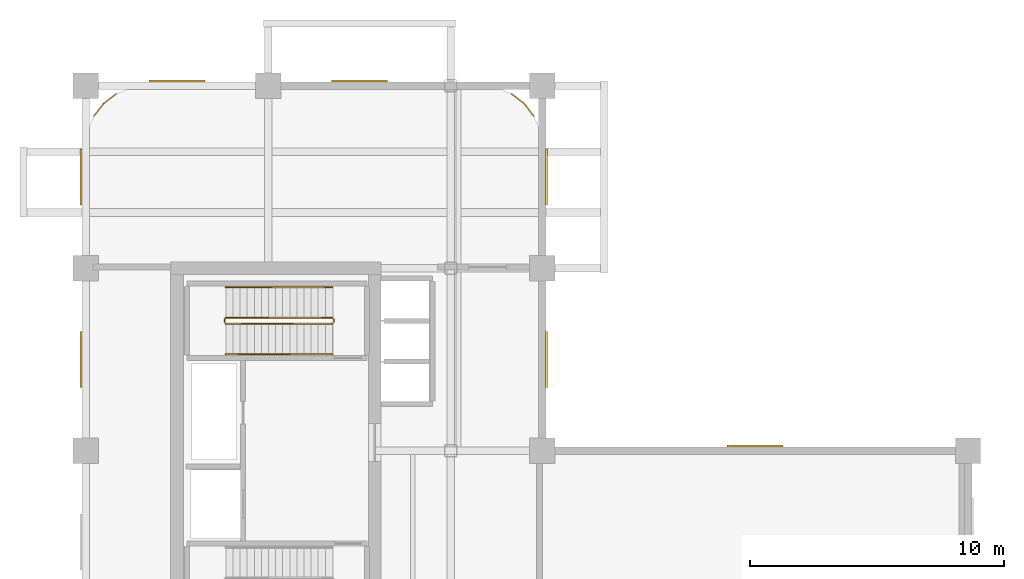
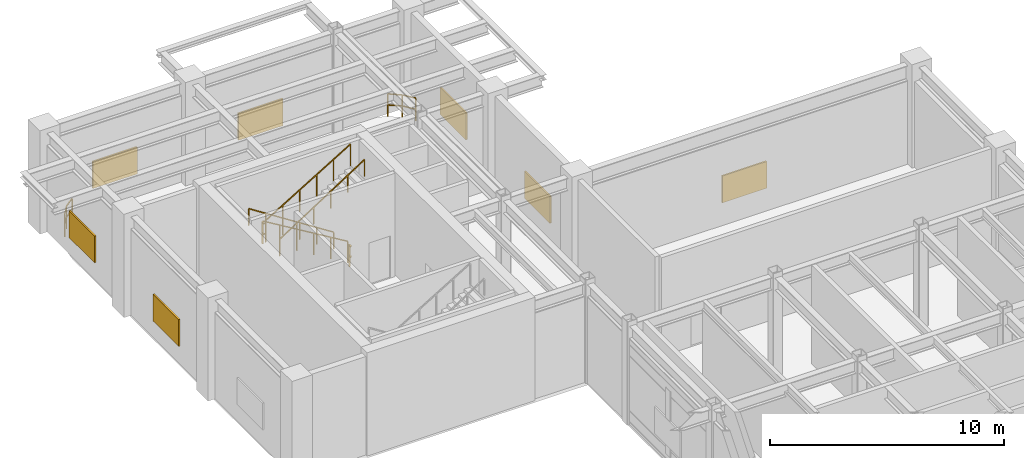
# One storey, part 10 of 10: 8 railings, 7 shading devices.
"""IFC4 building model written with IfcOpenShell, lengths in metres."""

from ifc_helpers import new_model, si_unit, derived_unit, direction, frame, origin, origin_2d, place, context, subcontext, project, spatial, rectangle, extrude, source, transform, mapped, material, layer, layer_set, type_object, type_shapes, element, save


model = new_model("IFC4")

# Units and contexts
model_context = context("Model", 3, precision=1e-05, world=origin(), true_north=direction((0.0, 1.0)))
body_context = subcontext(model_context, "Body", "Model", "MODEL_VIEW")
ifc_project = project(units=[si_unit("LENGTHUNIT", "METRE"), si_unit("AREAUNIT", "SQUARE_METRE"), si_unit("VOLUMEUNIT", "CUBIC_METRE"), si_unit("PLANEANGLEUNIT", "RADIAN"), si_unit("MASSUNIT", "GRAM", prefix="KILO"), si_unit("THERMODYNAMICTEMPERATUREUNIT", "KELVIN"), si_unit("POWERUNIT", "WATT"), derived_unit("THERMALTRANSMITTANCEUNIT", [(si_unit("POWERUNIT", "WATT"), 1), (si_unit("AREAUNIT", "SQUARE_METRE"), -1), (si_unit("THERMODYNAMICTEMPERATUREUNIT", "KELVIN"), -1)])], contexts=[model_context])

# Site, building, storey
site_placement = place(None, origin())
site = spatial("IfcSite", under=ifc_project, at=site_placement, CompositionType="ELEMENT")
building_placement = place(site_placement, origin())
building = spatial("IfcBuilding", under=site, at=building_placement, Name="Zahravan Archway Hotel and Residences", CompositionType="ELEMENT")
storey_placement = place(building_placement, frame((0.0, 0.0, 196.5)))
storey = spatial("IfcBuildingStorey", under=building, at=storey_placement, Name="L49", CompositionType="ELEMENT", Elevation=196.5)

# Railings
ifc_material_1 = material(Name="Painted Tubular Steel", Category="steel")
railing_type_1 = type_object("IfcRailingType", Name="RL-STG-1150", PredefinedType="GUARDRAIL", material=ifc_material_1)
railing_1_placement = place(storey_placement, frame((9.72998046875, 37.64990234375, 0.168701171875)))
element("IfcRailing", 1, at=railing_1_placement, inside=storey, type_object=railing_type_1, Name="L49 ST-B2 stair guard 1", PredefinedType="GUARDRAIL", context=body_context, shape_type="SweptSolid", body=[
    extrude(rectangle(XDim=0.048095703125, YDim=0.048095703125, at=origin_2d()), frame((0.0, 0.0, 1.1259765625), z_axis=(-0.856476492594, 0.0, 0.516186030065), x_axis=(0.0, -1.0, 0.0)), (0.0, 0.0, 1.0), 4.90380859375),
    extrude(rectangle(XDim=0.0419921875, YDim=0.0419921875, at=origin_2d()), origin(), (0.0, 0.0, 1.0), 1.101806640625),
    extrude(rectangle(XDim=0.0419921875, YDim=0.0419921875, at=origin_2d()), frame((-0.840087890625, 0.0, 0.50634765625)), (0.0, 0.0, 1.0), 1.101806640625),
    extrude(rectangle(XDim=0.0419921875, YDim=0.0419921875, at=origin_2d()), frame((-1.679931640625, 0.0, 1.012451171875)), (0.0, 0.0, 1.0), 1.101806640625),
    extrude(rectangle(XDim=0.0419921875, YDim=0.0419921875, at=origin_2d()), frame((-2.52001953125, 0.0, 1.518798828125)), (0.0, 0.0, 1.0), 1.101806640625),
    extrude(rectangle(XDim=0.0419921875, YDim=0.0419921875, at=origin_2d()), frame((-3.35986328125, 0.0, 2.02490234375)), (0.0, 0.0, 1.0), 1.101806640625),
    extrude(rectangle(XDim=0.0419921875, YDim=0.0419921875, at=origin_2d()), frame((-4.199951171875, 0.0, 2.53125)), (0.0, 0.0, 1.0), 1.101806640625),
])
railing_2_placement = place(storey_placement, frame((5.47998046875, 37.60009765625, 2.699951171875)))
element("IfcRailing", 2, at=railing_2_placement, inside=storey, type_object=railing_type_1, Name="L49 ST-B2 stair guard 2", PredefinedType="GUARDRAIL", context=body_context, shape_type="SweptSolid", body=[
    extrude(rectangle(XDim=0.048095703125, YDim=0.048095703125, at=origin_2d()), frame((0.0, 0.0, 1.1259765625), z_axis=(0.0, -1.0, 0.0), x_axis=(1.0, 0.0, 0.0)), (0.0, 0.0, 1.0), 0.14013671875),
    extrude(rectangle(XDim=0.048095703125, YDim=0.048095703125, at=origin_2d()), frame((0.0, 0.0, 0.574951171875), z_axis=(0.0, -1.0, 0.0), x_axis=(1.0, 0.0, 0.0)), (0.0, 0.0, 1.0), 0.14013671875),
    extrude(rectangle(XDim=0.0419921875, YDim=0.0419921875, at=origin_2d()), origin(), (0.0, 0.0, 1.0), 1.101806640625),
])
railing_3_placement = place(storey_placement, frame((5.530029296875, 37.409912109375, 2.86865234375)))
element("IfcRailing", 3, at=railing_3_placement, inside=storey, type_object=railing_type_1, Name="L49 ST-B2 stair guard 3", PredefinedType="GUARDRAIL", context=body_context, shape_type="SweptSolid", body=[
    extrude(rectangle(XDim=0.048095703125, YDim=0.048095703125, at=origin_2d()), frame((0.0, 0.0, 1.1259765625), z_axis=(0.856476492594, 0.0, 0.516186030065), x_axis=(0.0, 1.0, 0.0)), (0.0, 0.0, 1.0), 4.90380859375),
    extrude(rectangle(XDim=0.0419921875, YDim=0.0419921875, at=origin_2d()), origin(), (0.0, 0.0, 1.0), 1.101806640625),
    extrude(rectangle(XDim=0.0419921875, YDim=0.0419921875, at=origin_2d()), frame((0.840087890625, 0.0, 0.50634765625)), (0.0, 0.0, 1.0), 1.101806640625),
    extrude(rectangle(XDim=0.0419921875, YDim=0.0419921875, at=origin_2d()), frame((1.679931640625, 0.0, 1.012451171875)), (0.0, 0.0, 1.0), 1.101806640625),
    extrude(rectangle(XDim=0.0419921875, YDim=0.0419921875, at=origin_2d()), frame((2.52001953125, 0.0, 1.518798828125)), (0.0, 0.0, 1.0), 1.101806640625),
    extrude(rectangle(XDim=0.0419921875, YDim=0.0419921875, at=origin_2d()), frame((3.35986328125, 0.0, 2.02490234375)), (0.0, 0.0, 1.0), 1.101806640625),
    extrude(rectangle(XDim=0.0419921875, YDim=0.0419921875, at=origin_2d()), frame((4.199951171875, 0.0, 2.53125)), (0.0, 0.0, 1.0), 1.101806640625),
])
railing_4_placement = place(storey_placement, frame((9.780029296875, 37.60009765625, 0.0)))
element("IfcRailing", 4, at=railing_4_placement, inside=storey, type_object=railing_type_1, Name="L49 ST-B2 stair guard 4", PredefinedType="GUARDRAIL", context=body_context, shape_type="SweptSolid", body=[
    extrude(rectangle(XDim=0.048095703125, YDim=0.048095703125, at=origin_2d()), frame((0.0, 0.0, 1.1259765625), z_axis=(0.0, -1.0, 0.0), x_axis=(1.0, 0.0, 0.0)), (0.0, 0.0, 1.0), 0.14013671875),
    extrude(rectangle(XDim=0.048095703125, YDim=0.048095703125, at=origin_2d()), frame((0.0, 0.0, 0.574951171875), z_axis=(0.0, -1.0, 0.0), x_axis=(1.0, 0.0, 0.0)), (0.0, 0.0, 1.0), 0.14013671875),
    extrude(rectangle(XDim=0.0419921875, YDim=0.0419921875, at=origin_2d()), origin(), (0.0, 0.0, 1.0), 1.101806640625),
])
ifc_material_2 = material(Name="Brushed Stainless Steel", Category="steel")
railing_type_2 = type_object("IfcRailingType", Name="RL-STH-900", PredefinedType="HANDRAIL", material=ifc_material_2)
railing_5_placement = place(storey_placement, frame((9.72998046875, 38.85009765625, 0.168701171875)))
element("IfcRailing", 5, at=railing_5_placement, inside=storey, type_object=railing_type_2, Name="L49 ST-B2 stair handrail 1", PredefinedType="HANDRAIL", context=body_context, shape_type="SweptSolid", body=[
    extrude(rectangle(XDim=0.048095703125, YDim=0.048095703125, at=origin_2d()), frame((0.0, 0.0, 0.8759765625), z_axis=(-0.841180064094, 0.0, 0.540755119968), x_axis=(0.0, -1.0, 0.0)), (0.0, 0.0, 1.0), 4.992919921875),
    extrude(rectangle(XDim=0.0419921875, YDim=0.0419921875, at=origin_2d()), origin(), (0.0, 0.0, 1.0), 0.851806640625),
    extrude(rectangle(XDim=0.0419921875, YDim=0.0419921875, at=origin_2d()), frame((-0.840087890625, 0.0, 0.5400390625)), (0.0, 0.0, 1.0), 0.851806640625),
    extrude(rectangle(XDim=0.0419921875, YDim=0.0419921875, at=origin_2d()), frame((-1.679931640625, 0.0, 1.080078125)), (0.0, 0.0, 1.0), 0.851806640625),
    extrude(rectangle(XDim=0.0419921875, YDim=0.0419921875, at=origin_2d()), frame((-2.52001953125, 0.0, 1.619873046875)), (0.0, 0.0, 1.0), 0.851806640625),
    extrude(rectangle(XDim=0.0419921875, YDim=0.0419921875, at=origin_2d()), frame((-3.35986328125, 0.0, 2.159912109375)), (0.0, 0.0, 1.0), 0.851806640625),
    extrude(rectangle(XDim=0.0419921875, YDim=0.0419921875, at=origin_2d()), frame((-4.199951171875, 0.0, 2.699951171875)), (0.0, 0.0, 1.0), 0.851806640625),
])
railing_6_placement = place(storey_placement, frame((5.530029296875, 36.2099609375, 2.86865234375)))
element("IfcRailing", 6, at=railing_6_placement, inside=storey, type_object=railing_type_2, Name="L49 ST-B2 stair handrail 2", PredefinedType="HANDRAIL", context=body_context, shape_type="SweptSolid", body=[
    extrude(rectangle(XDim=0.048095703125, YDim=0.048095703125, at=origin_2d()), frame((0.0, 0.0, 0.8759765625), z_axis=(0.841157821942, 0.0, 0.54078971753), x_axis=(0.0, 1.0, 0.0)), (0.0, 0.0, 1.0), 4.9931640625),
    extrude(rectangle(XDim=0.0419921875, YDim=0.0419921875, at=origin_2d()), origin(), (0.0, 0.0, 1.0), 0.851806640625),
    extrude(rectangle(XDim=0.0419921875, YDim=0.0419921875, at=origin_2d()), frame((0.840087890625, 0.0, 0.5400390625)), (0.0, 0.0, 1.0), 0.851806640625),
    extrude(rectangle(XDim=0.0419921875, YDim=0.0419921875, at=origin_2d()), frame((1.679931640625, 0.0, 1.080078125)), (0.0, 0.0, 1.0), 0.851806640625),
    extrude(rectangle(XDim=0.0419921875, YDim=0.0419921875, at=origin_2d()), frame((2.52001953125, 0.0, 1.6201171875)), (0.0, 0.0, 1.0), 0.851806640625),
    extrude(rectangle(XDim=0.0419921875, YDim=0.0419921875, at=origin_2d()), frame((3.35986328125, 0.0, 2.16015625)), (0.0, 0.0, 1.0), 0.851806640625),
    extrude(rectangle(XDim=0.0419921875, YDim=0.0419921875, at=origin_2d()), frame((4.199951171875, 0.0, 2.7001953125)), (0.0, 0.0, 1.0), 0.851806640625),
])
ifc_material_3 = material(Name="Architectural Bronze Terrace Guardrail")
railing_type_3 = type_object("IfcRailingType", Name="RL-TER-1200", PredefinedType="GUARDRAIL", material=ifc_material_3)
railing_7_placement = place(storey_placement, frame((17.678466796875, 45.60009765625, 0.0)))
element("IfcRailing", 7, at=railing_7_placement, inside=storey, type_object=railing_type_3, Name="L49 Balustrade RL-REFCRN-L49-1", PredefinedType="GUARDRAIL", context=body_context, shape_type="SweptSolid", body=[
    extrude(rectangle(XDim=0.048095703125, YDim=0.048095703125, at=origin_2d()), frame((0.0, 0.0, 1.17578125), z_axis=(-0.608693302629, 0.793405610854, 0.0), x_axis=(-0.793405610854, -0.608693302629, 0.0)), (0.0, 0.0, 1.0), 0.62646484375),
    extrude(rectangle(XDim=0.048095703125, YDim=0.048095703125, at=origin_2d()), frame((0.0, 0.0, 0.60009765625), z_axis=(-0.608693302629, 0.793405610854, 0.0), x_axis=(-0.793405610854, -0.608693302629, 0.0)), (0.0, 0.0, 1.0), 0.62646484375),
    extrude(rectangle(XDim=0.048095703125, YDim=0.048095703125, at=origin_2d()), frame((-0.38134765625, 0.4970703125, 1.17578125), z_axis=(-0.793405610854, 0.608693302629, 0.0), x_axis=(-0.608693302629, -0.793405610854, 0.0)), (0.0, 0.0, 1.0), 0.62646484375),
    extrude(rectangle(XDim=0.048095703125, YDim=0.048095703125, at=origin_2d()), frame((-0.38134765625, 0.4970703125, 0.60009765625), z_axis=(-0.793405610854, 0.608693302629, 0.0), x_axis=(-0.608693302629, -0.793405610854, 0.0)), (0.0, 0.0, 1.0), 0.62646484375),
    extrude(rectangle(XDim=0.0419921875, YDim=0.0419921875, at=origin_2d()), origin(), (0.0, 0.0, 1.0), 1.15185546875),
    extrude(rectangle(XDim=0.0419921875, YDim=0.0419921875, at=origin_2d()), frame((-0.38134765625, 0.4970703125, 0.0)), (0.0, 0.0, 1.0), 1.15185546875),
    extrude(rectangle(XDim=0.0419921875, YDim=0.0419921875, at=origin_2d()), frame((-0.87841796875, 0.87841796875, 0.0)), (0.0, 0.0, 1.0), 1.15185546875),
])
railing_8_placement = place(storey_placement, frame((1.199951171875, 46.478515625, 0.0)))
element("IfcRailing", 8, at=railing_8_placement, inside=storey, type_object=railing_type_3, Name="L49 Balustrade RL-REFCRN-L49-2", PredefinedType="GUARDRAIL", context=body_context, shape_type="SweptSolid", body=[
    extrude(rectangle(XDim=0.048095703125, YDim=0.048095703125, at=origin_2d()), frame((0.0, 0.0, 1.17578125), z_axis=(-0.793405610854, -0.608693302629, 0.0), x_axis=(0.608693302629, -0.793405610854, 0.0)), (0.0, 0.0, 1.0), 0.62646484375),
    extrude(rectangle(XDim=0.048095703125, YDim=0.048095703125, at=origin_2d()), frame((0.0, 0.0, 0.60009765625), z_axis=(-0.793405610854, -0.608693302629, 0.0), x_axis=(0.608693302629, -0.793405610854, 0.0)), (0.0, 0.0, 1.0), 0.62646484375),
    extrude(rectangle(XDim=0.048095703125, YDim=0.048095703125, at=origin_2d()), frame((-0.4970703125, -0.38134765625, 1.17578125), z_axis=(-0.608693302629, -0.793405610854, 0.0), x_axis=(0.793405610854, -0.608693302629, 0.0)), (0.0, 0.0, 1.0), 0.62646484375),
    extrude(rectangle(XDim=0.048095703125, YDim=0.048095703125, at=origin_2d()), frame((-0.4970703125, -0.38134765625, 0.60009765625), z_axis=(-0.608693302629, -0.793405610854, 0.0), x_axis=(0.793405610854, -0.608693302629, 0.0)), (0.0, 0.0, 1.0), 0.62646484375),
    extrude(rectangle(XDim=0.0419921875, YDim=0.0419921875, at=origin_2d()), origin(), (0.0, 0.0, 1.0), 1.15185546875),
    extrude(rectangle(XDim=0.0419921875, YDim=0.0419921875, at=origin_2d()), frame((-0.4970703125, -0.38134765625, 0.0)), (0.0, 0.0, 1.0), 1.15185546875),
    extrude(rectangle(XDim=0.0419921875, YDim=0.0419921875, at=origin_2d()), frame((-0.87841796875, -0.87841796875, 0.0)), (0.0, 0.0, 1.0), 1.15185546875),
])

# Shading devices
ifc_material_4 = material(Name="Bronze Acoustic Intake Louvre")
ifc_layer = layer(ifc_material_4, 0.080078125, Name="Bronze Acoustic Intake Louvre")
ifc_layer_set = layer_set([ifc_layer], Name="Bronze Acoustic Intake Louvre")
shading_device_type = type_object("IfcShadingDeviceType", Name="SHD-LOUVRE-60", PredefinedType="USERDEFINED", material=ifc_layer_set)
shared_shape = source(origin(), body_context, "Body", "SweptSolid", [
    extrude(rectangle(XDim=2.199951171875, YDim=0.080078125, at=origin_2d()), origin(), (0.0, 0.0, 1.0), 1.39990234375),
])
type_shapes(shading_device_type, [shared_shape])
for number, where, z_axis, x_axis, name in (
    (9, (-0.179931640625, 36.0, 0.949951171875), (0.0, 0.0, 1.0), (0.0, 1.0, 0.0), "L49 Acoustic Plant Intake Louvre 13"),
    (10, (-0.179931640625, 43.199951171875, 0.949951171875), (0.0, 0.0, 1.0), (0.0, 1.0, 0.0), "L49 Acoustic Plant Intake Louvre 14"),
    (11, (3.60009765625, 46.97998046875, 0.949951171875), (0.0, 0.0, 1.0), (1.0, 0.0, 0.0), "L49 Acoustic Plant Intake Louvre 15"),
    (12, (10.800048828125, 46.97998046875, 0.949951171875), (0.0, 0.0, 1.0), (1.0, 0.0, 0.0), "L49 Acoustic Plant Intake Louvre 16"),
    (13, (18.179931640625, 36.0, 0.949951171875), (0.0, 0.0, 1.0), (0.0, 1.0, 0.0), "L49 Acoustic Plant Intake Louvre 17"),
    (14, (18.179931640625, 43.199951171875, 0.949951171875), (0.0, 0.0, 1.0), (0.0, 1.0, 0.0), "L49 Acoustic Plant Intake Louvre 18"),
    (15, (26.39990234375, 32.580078125, 0.949951171875), (0.0, 0.0, 1.0), (1.0, 0.0, 0.0), "L49 Acoustic Plant Intake Louvre 19"),
):
    element("IfcShadingDevice", number, at=place(storey_placement, frame(where, z_axis=z_axis, x_axis=x_axis)), inside=storey, type_object=shading_device_type, Name=name, ObjectType="LOUVER", PredefinedType="USERDEFINED", context=body_context, shape_type="MappedRepresentation", body=[
        mapped(shared_shape, transform((0.0, 0.0, 0.0), scale=1.0)),
    ])

save(model, "model.ifc")
